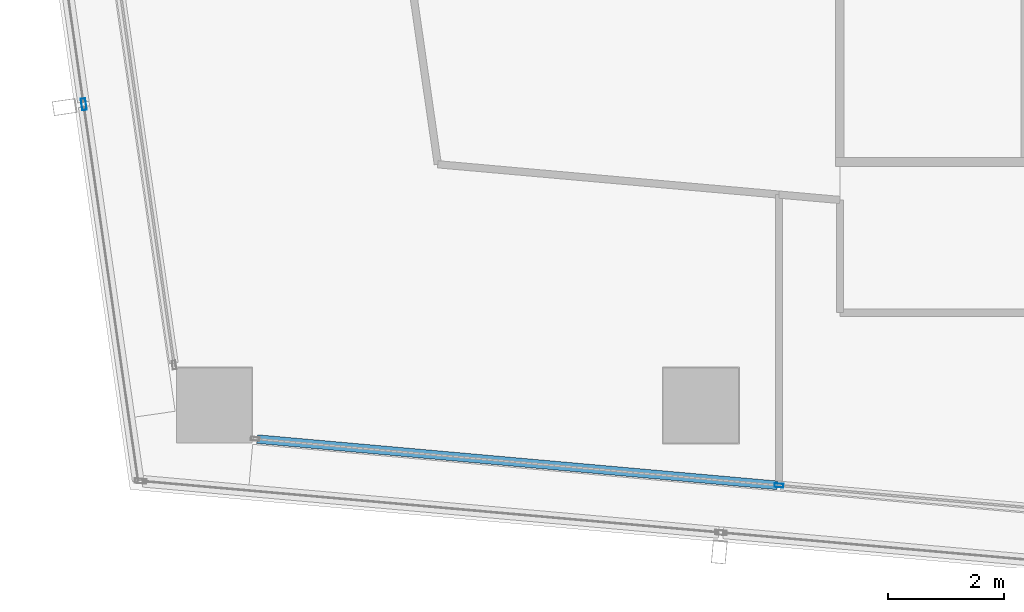
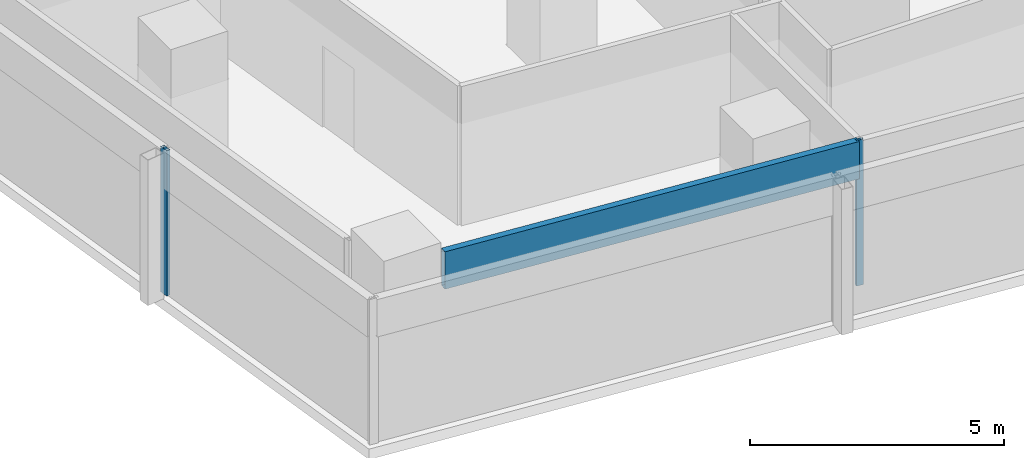
# One storey, part 3 of 29: 3 members, 2 elements without a shape of their own.
"""IFC4 building model written with IfcOpenShell, lengths in metres."""

from ifc_helpers import new_model, si_unit, direction, frame, origin, origin_2d, place, context, subcontext, project, spatial, hollow_rectangle, extrude, material, material_profile, profile_set, type_object, element, aggregate, save


model = new_model("IFC4")

# Units and contexts
model_context = context("Model", 3, precision=1e-05, world=origin(), true_north=direction((0.0, 1.0)))
body_context = subcontext(model_context, "Body", "Model", "MODEL_VIEW")
ifc_project = project(units=[si_unit("LENGTHUNIT", "METRE"), si_unit("AREAUNIT", "SQUARE_METRE"), si_unit("VOLUMEUNIT", "CUBIC_METRE"), si_unit("PLANEANGLEUNIT", "RADIAN"), si_unit("MASSUNIT", "GRAM", prefix="KILO")], contexts=[model_context])

# Site, building, storey
site_placement = place(None, origin())
site = spatial("IfcSite", under=ifc_project, at=site_placement, CompositionType="ELEMENT")
building_placement = place(site_placement, origin())
building = spatial("IfcBuilding", under=site, at=building_placement, Name="Rekha Terrace Tower", CompositionType="ELEMENT")
storey_placement = place(building_placement, frame((0.0, 0.0, 257.60009765625)))
storey = spatial("IfcBuildingStorey", under=building, at=storey_placement, Name="L65", CompositionType="ELEMENT", Elevation=257.60009765625)

# Curtain wall, members
ifc_material_1 = material(Name="Aluminium framing", Category="aluminium")
curtain_wall_type_1 = type_object("IfcCurtainWallType", Name="CW1 double skin inner glazing", PredefinedType="USERDEFINED", material=ifc_material_1)
curtain_wall_1_placement = place(storey_placement, origin())
curtain_wall_1 = element("IfcCurtainWall", 1, at=curtain_wall_1_placement, inside=storey, type_object=curtain_wall_type_1, Name="CW1 double skin inner glazing", ObjectType="DOUBLE SKIN INNER GLAZING", PredefinedType="USERDEFINED")
ifc_material_2 = material(Name="Aluminium mullion section", Category="aluminium")
ifc_material_profile_1 = material_profile(ifc_material_2, hollow_rectangle(XDim=0.06494140625, YDim=0.14990234375, WallThickness=0.00390625, at=origin_2d()), Name="AL RHS 65x150")
ifc_profile_set_1 = profile_set([ifc_material_profile_1], Name="Aluminium mullion section")
member_type_1 = type_object("IfcMemberType", Name="CW1 mullion RHS 65 x 150", PredefinedType="MULLION", material=ifc_profile_set_1)
member_1_placement = place(storey_placement, frame((18.1494140625, 15.4189453125, 0.0), z_axis=(0.0, 0.0, 1.0), x_axis=(0.088522441405, 0.996074182663, 0.0)))
member_1 = element("IfcMember", 2, at=member_1_placement, type_object=member_type_1, Name="CW1 mullion 2", PredefinedType="MULLION", context=body_context, shape_type="SweptSolid", body=[
    extrude(hollow_rectangle(XDim=0.06494140625, YDim=0.14990234375, WallThickness=0.00390625, at=origin_2d()), origin(), (0.0, 0.0, 1.0), 3.5),
])
ifc_material_3 = material(Name="Insulated aluminium spandrel box", Category="aluminium")
ifc_material_profile_2 = material_profile(ifc_material_3, hollow_rectangle(XDim=0.14990234375, YDim=0.89990234375, WallThickness=0.0029296875, at=origin_2d()), Name="AL SPANDREL BOX 150x900")
ifc_profile_set_2 = profile_set([ifc_material_profile_2], Name="Insulated aluminium spandrel box")
member_type_2 = type_object("IfcMemberType", Name="CW1 spandrel transom 150 x 900", PredefinedType="USERDEFINED", material=ifc_profile_set_2)
member_2_placement = place(storey_placement, frame((9.1416015625, 16.219482421875, 3.0498046875), z_axis=(0.996072428294, -0.088542179732, 0.0), x_axis=(0.088542179732, 0.996072428294, 0.0)))
member_2 = element("IfcMember", 3, at=member_2_placement, type_object=member_type_2, Name="CW1 spandrel transom 1", ObjectType="TRANSOM", PredefinedType="USERDEFINED", context=body_context, shape_type="SweptSolid", body=[
    extrude(hollow_rectangle(XDim=0.14990234375, YDim=0.89990234375, WallThickness=0.0029296875, at=origin_2d()), origin(), (0.0, 0.0, 1.0), 9.010986328125),
])
aggregate(curtain_wall_1, [member_1, member_2])

# Curtain wall, member
curtain_wall_type_2 = type_object("IfcCurtainWallType", Name="CW2 double skin outer glazing", PredefinedType="USERDEFINED", material=ifc_material_1)
curtain_wall_2_placement = place(storey_placement, origin())
curtain_wall_2 = element("IfcCurtainWall", 4, at=curtain_wall_2_placement, inside=storey, type_object=curtain_wall_type_2, Name="CW2 double skin outer glazing", ObjectType="DOUBLE SKIN OUTER GLAZING", PredefinedType="USERDEFINED")
ifc_material_profile_3 = material_profile(ifc_material_2, hollow_rectangle(XDim=0.080078125, YDim=0.199951171875, WallThickness=0.00390625, at=origin_2d()), Name="AL RHS 80x200")
ifc_profile_set_3 = profile_set([ifc_material_profile_3], Name="Aluminium mullion section")
member_type_3 = type_object("IfcMemberType", Name="CW2 mullion RHS 80 x 200", PredefinedType="MULLION", material=ifc_profile_set_3)
member_3_placement = place(storey_placement, frame((6.150634765625, 21.99658203125, 0.0), z_axis=(0.0, 0.0, 1.0), x_axis=(0.989707031389, 0.143108322678, 0.0)))
member_3 = element("IfcMember", 5, at=member_3_placement, type_object=member_type_3, Name="CW2 mullion 2", PredefinedType="MULLION", context=body_context, shape_type="SweptSolid", body=[
    extrude(hollow_rectangle(XDim=0.080078125, YDim=0.199951171875, WallThickness=0.00390625, at=origin_2d()), origin(), (0.0, 0.0, 1.0), 3.5),
])
aggregate(curtain_wall_2, [member_3])

save(model, "model.ifc")
